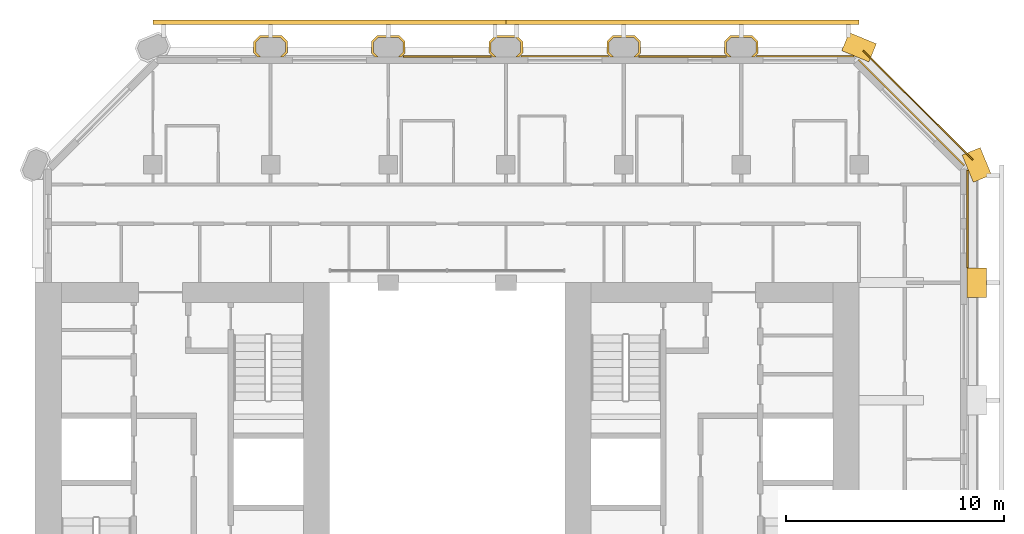
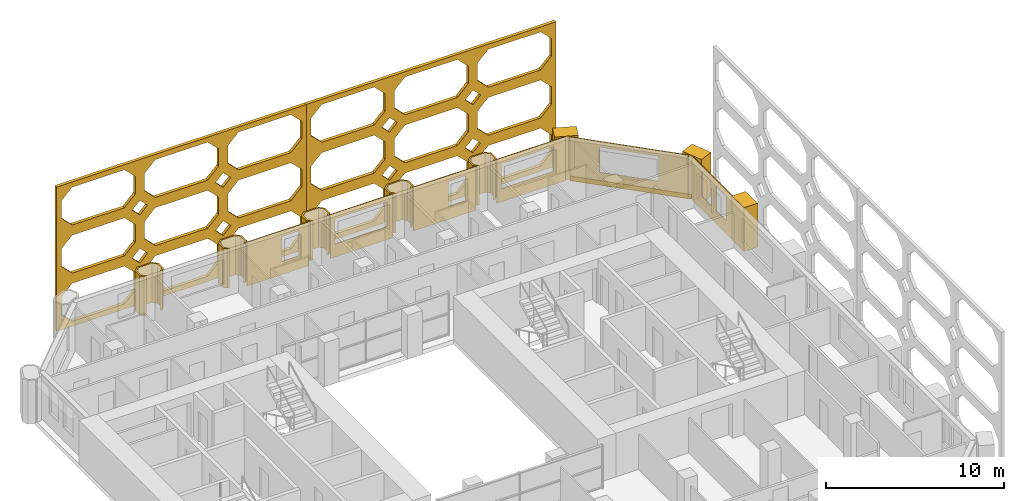
# One storey, part 14 of 14: 17 coverings.
"""IFC4 building model written with IfcOpenShell, lengths in metres."""

from ifc_helpers import new_model, si_unit, direction, frame, frame_2d, origin, place, context, subcontext, project, spatial, polyline, rectangle, outline, extrude, material, layer, layer_set, type_object, element, save


model = new_model("IFC4")

# Units and contexts
model_context = context("Model", 3, precision=1e-05, world=origin(), true_north=direction((0.0, 1.0)))
body_context = subcontext(model_context, "Body", "Model", "MODEL_VIEW")
ifc_project = project(units=[si_unit("LENGTHUNIT", "METRE"), si_unit("AREAUNIT", "SQUARE_METRE"), si_unit("VOLUMEUNIT", "CUBIC_METRE"), si_unit("PLANEANGLEUNIT", "RADIAN"), si_unit("MASSUNIT", "GRAM", prefix="KILO")], contexts=[model_context])

# Site, building, storey
site_placement = place(None, origin())
site = spatial("IfcSite", under=ifc_project, at=site_placement, CompositionType="ELEMENT")
building_placement = place(site_placement, origin())
building = spatial("IfcBuilding", under=site, at=building_placement, Name="Tabaq Tower and Sports Hall", CompositionType="ELEMENT")
storey_placement = place(building_placement, frame((0.0, 0.0, 166.0)))
storey = spatial("IfcBuildingStorey", under=building, at=storey_placement, Name="L39", CompositionType="ELEMENT", Elevation=166.0)

# Coverings
ifc_material_1 = material(Name="Precast concrete C60/75", Category="concrete")
ifc_layer_1 = layer(ifc_material_1, 0.10009765625)
ifc_layer_set_1 = layer_set([ifc_layer_1], Name="Column cladding 100")
covering_type_1 = type_object("IfcCoveringType", Name="Column cladding 100", PredefinedType="CLADDING", material=ifc_layer_set_1)
covering_1_placement = place(storey_placement, frame((0.0, 0.0, 0.300048828125)))
element("IfcCovering", 1, at=covering_1_placement, inside=storey, type_object=covering_type_1, Name="Column cladding L39 PC-4I-H1", PredefinedType="CLADDING", context=body_context, shape_type="SweptSolid", body=[
    extrude(outline(polyline([(15.42529296875, 43.46630859375), (15.708740234375, 43.749755859375), (16.69140625, 43.749755859375), (16.974609375, 43.46630859375), (16.974609375, 42.93359375), (16.791259765625, 42.750244140625), (16.650634765625, 42.750244140625), (16.875244140625, 42.974853515625), (16.875244140625, 43.425048828125), (16.650146484375, 43.650390625), (15.749755859375, 43.650390625), (15.524658203125, 43.425048828125), (15.524658203125, 42.974853515625), (15.749267578125, 42.750244140625), (15.608642578125, 42.750244140625), (15.42529296875, 42.93359375), (15.42529296875, 43.46630859375)])), origin(), (0.0, 0.0, 1.0), 2.699951171875),
])
covering_2_placement = place(storey_placement, frame((0.0, 0.0, 0.300048828125)))
element("IfcCovering", 2, at=covering_2_placement, inside=storey, type_object=covering_type_1, Name="Column cladding L39 PC-5I-H1", PredefinedType="CLADDING", context=body_context, shape_type="SweptSolid", body=[
    extrude(outline(polyline([(20.8251953125, 43.46630859375), (21.108642578125, 43.749755859375), (22.09130859375, 43.749755859375), (22.374755859375, 43.46630859375), (22.374755859375, 42.93359375), (22.19140625, 42.750244140625), (22.05078125, 42.750244140625), (22.275390625, 42.974853515625), (22.275390625, 43.425048828125), (22.050048828125, 43.650390625), (21.14990234375, 43.650390625), (20.9248046875, 43.425048828125), (20.9248046875, 42.974853515625), (21.149169921875, 42.750244140625), (21.0087890625, 42.750244140625), (20.8251953125, 42.93359375), (20.8251953125, 43.46630859375)])), origin(), (0.0, 0.0, 1.0), 2.699951171875),
])
covering_3_placement = place(storey_placement, frame((0.0, 0.0, 0.300048828125)))
element("IfcCovering", 3, at=covering_3_placement, inside=storey, type_object=covering_type_1, Name="Column cladding L39 PC-6I-H1", PredefinedType="CLADDING", context=body_context, shape_type="SweptSolid", body=[
    extrude(outline(polyline([(26.225341796875, 43.46630859375), (26.5087890625, 43.749755859375), (27.4912109375, 43.749755859375), (27.774658203125, 43.46630859375), (27.774658203125, 42.93359375), (27.59130859375, 42.750244140625), (27.45068359375, 42.750244140625), (27.67529296875, 42.974853515625), (27.67529296875, 43.425048828125), (27.4501953125, 43.650390625), (26.5498046875, 43.650390625), (26.32470703125, 43.425048828125), (26.32470703125, 42.974853515625), (26.54931640625, 42.750244140625), (26.40869140625, 42.750244140625), (26.225341796875, 42.93359375), (26.225341796875, 43.46630859375)])), origin(), (0.0, 0.0, 1.0), 2.699951171875),
])
covering_4_placement = place(storey_placement, frame((0.0, 0.0, 0.300048828125)))
element("IfcCovering", 4, at=covering_4_placement, inside=storey, type_object=covering_type_1, Name="Column cladding L39 PC-7I-H1", PredefinedType="CLADDING", context=body_context, shape_type="SweptSolid", body=[
    extrude(outline(polyline([(31.625244140625, 43.46630859375), (31.90869140625, 43.749755859375), (32.891357421875, 43.749755859375), (33.1748046875, 43.46630859375), (33.1748046875, 42.93359375), (32.9912109375, 42.750244140625), (32.850830078125, 42.750244140625), (33.0751953125, 42.974853515625), (33.0751953125, 43.425048828125), (32.85009765625, 43.650390625), (31.949951171875, 43.650390625), (31.724609375, 43.425048828125), (31.724609375, 42.974853515625), (31.94921875, 42.750244140625), (31.80859375, 42.750244140625), (31.625244140625, 42.93359375), (31.625244140625, 43.46630859375)])), origin(), (0.0, 0.0, 1.0), 2.699951171875),
])
covering_5_placement = place(storey_placement, frame((0.0, 0.0, 0.300048828125)))
element("IfcCovering", 5, at=covering_5_placement, inside=storey, type_object=covering_type_1, Name="Column cladding L39 PC-8I-H1", PredefinedType="CLADDING", context=body_context, shape_type="SweptSolid", body=[
    extrude(outline(polyline([(37.025390625, 43.46630859375), (37.30859375, 43.749755859375), (38.291259765625, 43.749755859375), (38.57470703125, 43.46630859375), (38.57470703125, 42.93359375), (38.391357421875, 42.750244140625), (38.250732421875, 42.750244140625), (38.475341796875, 42.974853515625), (38.475341796875, 43.425048828125), (38.250244140625, 43.650390625), (37.349853515625, 43.650390625), (37.124755859375, 43.425048828125), (37.124755859375, 42.974853515625), (37.349365234375, 42.750244140625), (37.208740234375, 42.750244140625), (37.025390625, 42.93359375), (37.025390625, 43.46630859375)])), origin(), (0.0, 0.0, 1.0), 2.699951171875),
])
ifc_material_2 = material(Name="Precast concrete C60/75", Category="concrete")
ifc_layer_2 = layer(ifc_material_2, 0.06005859375)
ifc_layer_set_2 = layer_set([ifc_layer_2], Name="Edge beam cladding 60")
covering_type_2 = type_object("IfcCoveringType", Name="Edge beam cladding 60", PredefinedType="CLADDING", material=ifc_layer_set_2)
covering_6_placement = place(storey_placement, frame((48.41015625, 38.0322265625, -0.300048828125), z_axis=(0.0, 0.0, 1.0), x_axis=(-0.707106781187, 0.707106781187, 0.0)))
element("IfcCovering", 6, at=covering_6_placement, inside=storey, type_object=covering_type_2, Name="Edge beam cladding L39 4", PredefinedType="CLADDING", context=body_context, shape_type="SweptSolid", body=[
    extrude(rectangle(XDim=7.08837890625, YDim=0.06005859375, at=frame_2d((3.544189453125, 0.0))), origin(), (0.0, 0.0, 1.0), 0.300048828125),
])
ifc_material_3 = material(Name="White precast concrete C60/75", Category="concrete")
covering_type_3 = type_object("IfcCoveringType", Name="Pier cladding hung 1350x900", PredefinedType="CLADDING", material=ifc_material_3)
covering_7_placement = place(storey_placement, frame((43.82373046875, 42.941650390625, 0.0), z_axis=(0.0, 0.0, 1.0), x_axis=(-0.923893411637, 0.382649923473, 0.0)))
element("IfcCovering", 7, at=covering_7_placement, inside=storey, type_object=covering_type_3, Name="Hung pier cladding 8/8", PredefinedType="CLADDING", context=body_context, shape_type="SweptSolid", body=[
    extrude(rectangle(XDim=1.35009765625, YDim=0.89990234375, at=frame_2d((0.675048828125, 0.0))), origin(), (0.0, 0.0, 1.0), 3.0),
])
covering_8_placement = place(storey_placement, frame((48.60009765625, 31.72509765625, 0.0), z_axis=(0.0, 0.0, 1.0), x_axis=(0.0, 1.0, 0.0)))
element("IfcCovering", 8, at=covering_8_placement, inside=storey, type_object=covering_type_3, Name="Hung pier cladding 9/6", PredefinedType="CLADDING", context=body_context, shape_type="SweptSolid", body=[
    extrude(rectangle(XDim=1.349853515625, YDim=0.89990234375, at=frame_2d((0.6748046875, 0.0))), origin(), (0.0, 0.0, 1.0), 3.0),
])
covering_9_placement = place(storey_placement, frame((48.8583984375, 37.17626953125, 0.0), z_axis=(0.0, 0.0, 1.0), x_axis=(-0.382649923473, 0.923893411637, 0.0)))
element("IfcCovering", 9, at=covering_9_placement, inside=storey, type_object=covering_type_3, Name="Hung pier cladding 9/7", PredefinedType="CLADDING", context=body_context, shape_type="SweptSolid", body=[
    extrude(rectangle(XDim=1.35009765625, YDim=0.89990234375, at=frame_2d((0.675048828125, 0.0))), origin(), (0.0, 0.0, 1.0), 3.0),
])
ifc_material_4 = material(Name="White precast concrete C60/75 pierced screen", Category="concrete")
ifc_layer_3 = layer(ifc_material_4, 0.199951171875)
ifc_layer_set_3 = layer_set([ifc_layer_3], Name="TRACERY SCREEN 200 C60/75")
covering_type_4 = type_object("IfcCoveringType", Name="TRACERY SCREEN 200 C60/75", PredefinedType="CLADDING", material=ifc_layer_set_3)
covering_10_placement = place(storey_placement, frame((43.199951171875, 44.35009765625, 0.0), z_axis=(0.0, 0.0, 1.0), x_axis=(-1.0, 0.0, 0.0)))
element("IfcCovering", 10, at=covering_10_placement, inside=storey, type_object=covering_type_4, Name="Tracery screen H1 N L39-L41", PredefinedType="CLADDING", context=body_context, shape_type="SweptSolid", body=[
    extrude(outline(polyline([(0.0, 0.0), (16.199951171875, 0.0), (16.199951171875, 9.89990234375), (0.0, 9.89990234375), (0.0, 0.0)]), holes=[polyline([(1.0, 0.35009765625), (4.39990234375, 0.35009765625), (5.10009765625, 1.050048828125), (5.10009765625, 2.25), (4.39990234375, 2.949951171875), (1.0, 2.949951171875), (0.300048828125, 2.25), (0.300048828125, 1.050048828125), (1.0, 0.35009765625)]), polyline([(6.39990234375, 0.35009765625), (9.800048828125, 0.35009765625), (10.5, 1.050048828125), (10.5, 2.25), (9.800048828125, 2.949951171875), (6.39990234375, 2.949951171875), (5.699951171875, 2.25), (5.699951171875, 1.050048828125), (6.39990234375, 0.35009765625)]), polyline([(11.800048828125, 0.35009765625), (15.199951171875, 0.35009765625), (15.89990234375, 1.050048828125), (15.89990234375, 2.25), (15.199951171875, 2.949951171875), (11.800048828125, 2.949951171875), (11.10009765625, 2.25), (11.10009765625, 1.050048828125), (11.800048828125, 0.35009765625)]), polyline([(1.0, 3.64990234375), (4.39990234375, 3.64990234375), (5.10009765625, 4.35009765625), (5.10009765625, 5.550048828125), (4.39990234375, 6.25), (1.0, 6.25), (0.300048828125, 5.550048828125), (0.300048828125, 4.35009765625), (1.0, 3.64990234375)]), polyline([(6.39990234375, 3.64990234375), (9.800048828125, 3.64990234375), (10.5, 4.35009765625), (10.5, 5.550048828125), (9.800048828125, 6.25), (6.39990234375, 6.25), (5.699951171875, 5.550048828125), (5.699951171875, 4.35009765625), (6.39990234375, 3.64990234375)]), polyline([(11.800048828125, 3.64990234375), (15.199951171875, 3.64990234375), (15.89990234375, 4.35009765625), (15.89990234375, 5.550048828125), (15.199951171875, 6.25), (11.800048828125, 6.25), (11.10009765625, 5.550048828125), (11.10009765625, 4.35009765625), (11.800048828125, 3.64990234375)]), polyline([(1.0, 6.949951171875), (4.39990234375, 6.949951171875), (5.10009765625, 7.64990234375), (5.10009765625, 8.85009765625), (4.39990234375, 9.550048828125), (1.0, 9.550048828125), (0.300048828125, 8.85009765625), (0.300048828125, 7.64990234375), (1.0, 6.949951171875)]), polyline([(6.39990234375, 6.949951171875), (9.800048828125, 6.949951171875), (10.5, 7.64990234375), (10.5, 8.85009765625), (9.800048828125, 9.550048828125), (6.39990234375, 9.550048828125), (5.699951171875, 8.85009765625), (5.699951171875, 7.64990234375), (6.39990234375, 6.949951171875)]), polyline([(11.800048828125, 6.949951171875), (15.199951171875, 6.949951171875), (15.89990234375, 7.64990234375), (15.89990234375, 8.85009765625), (15.199951171875, 9.550048828125), (11.800048828125, 9.550048828125), (11.10009765625, 8.85009765625), (11.10009765625, 7.64990234375), (11.800048828125, 6.949951171875)]), polyline([(5.89990234375, 3.300048828125), (5.39990234375, 3.800048828125), (4.89990234375, 3.300048828125), (5.39990234375, 2.800048828125), (5.89990234375, 3.300048828125)]), polyline([(11.300048828125, 3.300048828125), (10.800048828125, 3.800048828125), (10.300048828125, 3.300048828125), (10.800048828125, 2.800048828125), (11.300048828125, 3.300048828125)]), polyline([(5.89990234375, 6.60009765625), (5.39990234375, 7.10009765625), (4.89990234375, 6.60009765625), (5.39990234375, 6.10009765625), (5.89990234375, 6.60009765625)]), polyline([(11.300048828125, 6.60009765625), (10.800048828125, 7.10009765625), (10.300048828125, 6.60009765625), (10.800048828125, 6.10009765625), (11.300048828125, 6.60009765625)])]), frame((0.0, 0.10009765625, 0.0), z_axis=(0.0, -1.0, 0.0), x_axis=(1.0, 0.0, 0.0)), (0.0, 0.0, 1.0), 0.199951171875),
])
covering_11_placement = place(storey_placement, frame((27.0, 44.35009765625, 0.0), z_axis=(0.0, 0.0, 1.0), x_axis=(-1.0, 0.0, 0.0)))
element("IfcCovering", 11, at=covering_11_placement, inside=storey, type_object=covering_type_4, Name="Tracery screen H1 N L39-L41", PredefinedType="CLADDING", context=body_context, shape_type="SweptSolid", body=[
    extrude(outline(polyline([(0.0, 0.0), (16.199951171875, 0.0), (16.199951171875, 9.89990234375), (0.0, 9.89990234375), (0.0, 0.0)]), holes=[polyline([(1.0, 0.35009765625), (4.39990234375, 0.35009765625), (5.10009765625, 1.050048828125), (5.10009765625, 2.25), (4.39990234375, 2.949951171875), (1.0, 2.949951171875), (0.300048828125, 2.25), (0.300048828125, 1.050048828125), (1.0, 0.35009765625)]), polyline([(6.39990234375, 0.35009765625), (9.800048828125, 0.35009765625), (10.5, 1.050048828125), (10.5, 2.25), (9.800048828125, 2.949951171875), (6.39990234375, 2.949951171875), (5.699951171875, 2.25), (5.699951171875, 1.050048828125), (6.39990234375, 0.35009765625)]), polyline([(11.800048828125, 0.35009765625), (15.199951171875, 0.35009765625), (15.89990234375, 1.050048828125), (15.89990234375, 2.25), (15.199951171875, 2.949951171875), (11.800048828125, 2.949951171875), (11.10009765625, 2.25), (11.10009765625, 1.050048828125), (11.800048828125, 0.35009765625)]), polyline([(1.0, 3.64990234375), (4.39990234375, 3.64990234375), (5.10009765625, 4.35009765625), (5.10009765625, 5.550048828125), (4.39990234375, 6.25), (1.0, 6.25), (0.300048828125, 5.550048828125), (0.300048828125, 4.35009765625), (1.0, 3.64990234375)]), polyline([(6.39990234375, 3.64990234375), (9.800048828125, 3.64990234375), (10.5, 4.35009765625), (10.5, 5.550048828125), (9.800048828125, 6.25), (6.39990234375, 6.25), (5.699951171875, 5.550048828125), (5.699951171875, 4.35009765625), (6.39990234375, 3.64990234375)]), polyline([(11.800048828125, 3.64990234375), (15.199951171875, 3.64990234375), (15.89990234375, 4.35009765625), (15.89990234375, 5.550048828125), (15.199951171875, 6.25), (11.800048828125, 6.25), (11.10009765625, 5.550048828125), (11.10009765625, 4.35009765625), (11.800048828125, 3.64990234375)]), polyline([(1.0, 6.949951171875), (4.39990234375, 6.949951171875), (5.10009765625, 7.64990234375), (5.10009765625, 8.85009765625), (4.39990234375, 9.550048828125), (1.0, 9.550048828125), (0.300048828125, 8.85009765625), (0.300048828125, 7.64990234375), (1.0, 6.949951171875)]), polyline([(6.39990234375, 6.949951171875), (9.800048828125, 6.949951171875), (10.5, 7.64990234375), (10.5, 8.85009765625), (9.800048828125, 9.550048828125), (6.39990234375, 9.550048828125), (5.699951171875, 8.85009765625), (5.699951171875, 7.64990234375), (6.39990234375, 6.949951171875)]), polyline([(11.800048828125, 6.949951171875), (15.199951171875, 6.949951171875), (15.89990234375, 7.64990234375), (15.89990234375, 8.85009765625), (15.199951171875, 9.550048828125), (11.800048828125, 9.550048828125), (11.10009765625, 8.85009765625), (11.10009765625, 7.64990234375), (11.800048828125, 6.949951171875)]), polyline([(5.89990234375, 3.300048828125), (5.39990234375, 3.800048828125), (4.89990234375, 3.300048828125), (5.39990234375, 2.800048828125), (5.89990234375, 3.300048828125)]), polyline([(11.300048828125, 3.300048828125), (10.800048828125, 3.800048828125), (10.300048828125, 3.300048828125), (10.800048828125, 2.800048828125), (11.300048828125, 3.300048828125)]), polyline([(5.89990234375, 6.60009765625), (5.39990234375, 7.10009765625), (4.89990234375, 6.60009765625), (5.39990234375, 6.10009765625), (5.89990234375, 6.60009765625)]), polyline([(11.300048828125, 6.60009765625), (10.800048828125, 7.10009765625), (10.300048828125, 6.60009765625), (10.800048828125, 6.10009765625), (11.300048828125, 6.60009765625)])]), frame((0.0, 0.10009765625, 0.0), z_axis=(0.0, -1.0, 0.0), x_axis=(1.0, 0.0, 0.0)), (0.0, 0.0, 1.0), 0.199951171875),
])
ifc_material_5 = material(Name="Precast concrete C60/75", Category="concrete")
ifc_layer_4 = layer(ifc_material_5, 0.06005859375)
ifc_layer_set_4 = layer_set([ifc_layer_4], Name="White precast cladding panel 60 C60/75")
covering_type_5 = type_object("IfcCoveringType", Name="White precast cladding panel 60 C60/75", PredefinedType="CLADDING", material=ifc_layer_set_4)
covering_12_placement = place(storey_placement, frame((48.179931640625, 33.0849609375, 0.0), z_axis=(0.0, 0.0, 1.0), x_axis=(0.0, 1.0, 0.0)))
element("IfcCovering", 12, at=covering_12_placement, inside=storey, type_object=covering_type_5, Name="White precast cladding panel L39 wall02 6", PredefinedType="CLADDING", context=body_context, shape_type="SweptSolid", body=[
    extrude(outline(polyline([(0.0, 0.0), (4.471923828125, 0.0), (4.471923828125, 3.0), (0.0, 3.0), (0.0, 0.0)]), holes=[polyline([(0.655029296875, 2.610107421875), (1.77490234375, 2.610107421875), (1.77490234375, 0.889892578125), (0.655029296875, 0.889892578125), (0.655029296875, 2.610107421875)]), polyline([(2.2548828125, 2.610107421875), (3.375, 2.610107421875), (3.375, 0.889892578125), (2.2548828125, 0.889892578125), (2.2548828125, 2.610107421875)])]), frame((0.0, 0.030029296875, 0.0), z_axis=(0.0, -1.0, 0.0), x_axis=(1.0, 0.0, 0.0)), (0.0, 0.0, 1.0), 0.06005859375),
])
covering_13_placement = place(storey_placement, frame((48.0283203125, 37.77783203125, 0.0), z_axis=(0.0, 0.0, 1.0), x_axis=(-0.707124576528, 0.707088985397, 0.0)))
element("IfcCovering", 13, at=covering_13_placement, inside=storey, type_object=covering_type_5, Name="White precast cladding panel L39 wall03", PredefinedType="CLADDING", context=body_context, shape_type="SweptSolid", body=[
    extrude(outline(polyline([(0.0, 0.0), (6.859619140625, 0.0), (6.859619140625, 3.0), (0.0, 3.0), (0.0, 0.0)]), holes=[polyline([(1.7197265625, 0.889892578125), (1.7197265625, 2.610107421875), (5.139892578125, 2.610107421875), (5.139892578125, 0.889892578125), (1.7197265625, 0.889892578125)])]), frame((0.0, 0.030029296875, 0.0), z_axis=(0.0, -1.0, 0.0), x_axis=(1.0, 0.0, 0.0)), (0.0, 0.0, 1.0), 0.06005859375),
])
covering_14_placement = place(storey_placement, frame((42.956787109375, 42.780029296875, 0.0), z_axis=(0.0, 0.0, 1.0), x_axis=(-1.0, 0.0, 0.0)))
element("IfcCovering", 14, at=covering_14_placement, inside=storey, type_object=covering_type_5, Name="White precast cladding panel L39 wall04", PredefinedType="CLADDING", context=body_context, shape_type="SweptSolid", body=[
    extrude(outline(polyline([(0.0, 0.0), (4.4716796875, 0.0), (4.4716796875, 3.0), (0.0, 3.0), (0.0, 0.0)]), holes=[polyline([(0.746826171875, 0.889892578125), (0.746826171875, 2.610107421875), (4.166748046875, 2.610107421875), (4.166748046875, 0.889892578125), (0.746826171875, 0.889892578125)])]), frame((0.0, 0.030029296875, 0.0), z_axis=(0.0, -1.0, 0.0), x_axis=(1.0, 0.0, 0.0)), (0.0, 0.0, 1.0), 0.06005859375),
])
covering_15_placement = place(storey_placement, frame((37.114990234375, 42.780029296875, 0.0), z_axis=(0.0, 0.0, 1.0), x_axis=(-1.0, 0.0, 0.0)))
element("IfcCovering", 15, at=covering_15_placement, inside=storey, type_object=covering_type_5, Name="White precast cladding panel L39 wall04 2", PredefinedType="CLADDING", context=body_context, shape_type="SweptSolid", body=[
    extrude(outline(polyline([(0.0, 0.0), (4.030029296875, 0.0), (4.030029296875, 3.0), (0.0, 3.0), (0.0, 0.0)]), holes=[polyline([(0.655029296875, 0.889892578125), (0.655029296875, 2.610107421875), (1.77490234375, 2.610107421875), (1.77490234375, 0.889892578125), (0.655029296875, 0.889892578125)])]), frame((0.0, 0.030029296875, 0.0), z_axis=(0.0, -1.0, 0.0), x_axis=(1.0, 0.0, 0.0)), (0.0, 0.0, 1.0), 0.06005859375),
])
covering_16_placement = place(storey_placement, frame((31.715087890625, 42.780029296875, 0.0), z_axis=(0.0, 0.0, 1.0), x_axis=(-1.0, 0.0, 0.0)))
element("IfcCovering", 16, at=covering_16_placement, inside=storey, type_object=covering_type_5, Name="White precast cladding panel L39 wall04 3", PredefinedType="CLADDING", context=body_context, shape_type="SweptSolid", body=[
    extrude(outline(polyline([(0.0, 0.0), (4.030029296875, 0.0), (4.030029296875, 3.0), (0.0, 3.0), (0.0, 0.0)]), holes=[polyline([(0.304931640625, 0.889892578125), (0.304931640625, 2.610107421875), (3.72509765625, 2.610107421875), (3.72509765625, 0.889892578125), (0.304931640625, 0.889892578125)])]), frame((0.0, 0.030029296875, 0.0), z_axis=(0.0, -1.0, 0.0), x_axis=(1.0, 0.0, 0.0)), (0.0, 0.0, 1.0), 0.06005859375),
])
covering_17_placement = place(storey_placement, frame((26.31494140625, 42.780029296875, 0.0), z_axis=(0.0, 0.0, 1.0), x_axis=(-1.0, 0.0, 0.0)))
element("IfcCovering", 17, at=covering_17_placement, inside=storey, type_object=covering_type_5, Name="White precast cladding panel L39 wall04 4", PredefinedType="CLADDING", context=body_context, shape_type="SweptSolid", body=[
    extrude(outline(polyline([(0.0, 0.0), (4.030029296875, 0.0), (4.030029296875, 3.0), (0.0, 3.0), (0.0, 0.0)]), holes=[polyline([(0.655029296875, 0.889892578125), (0.655029296875, 2.610107421875), (1.77490234375, 2.610107421875), (1.77490234375, 0.889892578125), (0.655029296875, 0.889892578125)])]), frame((0.0, 0.030029296875, 0.0), z_axis=(0.0, -1.0, 0.0), x_axis=(1.0, 0.0, 0.0)), (0.0, 0.0, 1.0), 0.06005859375),
])

save(model, "model.ifc")
